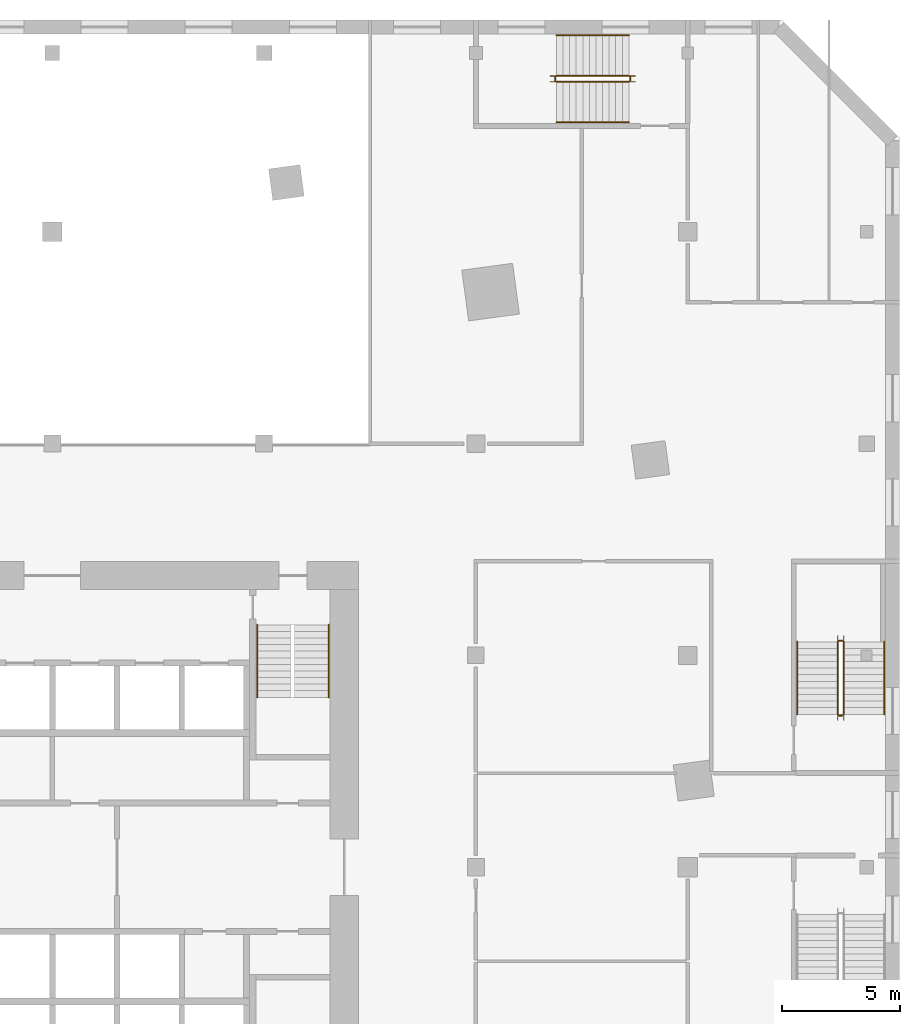
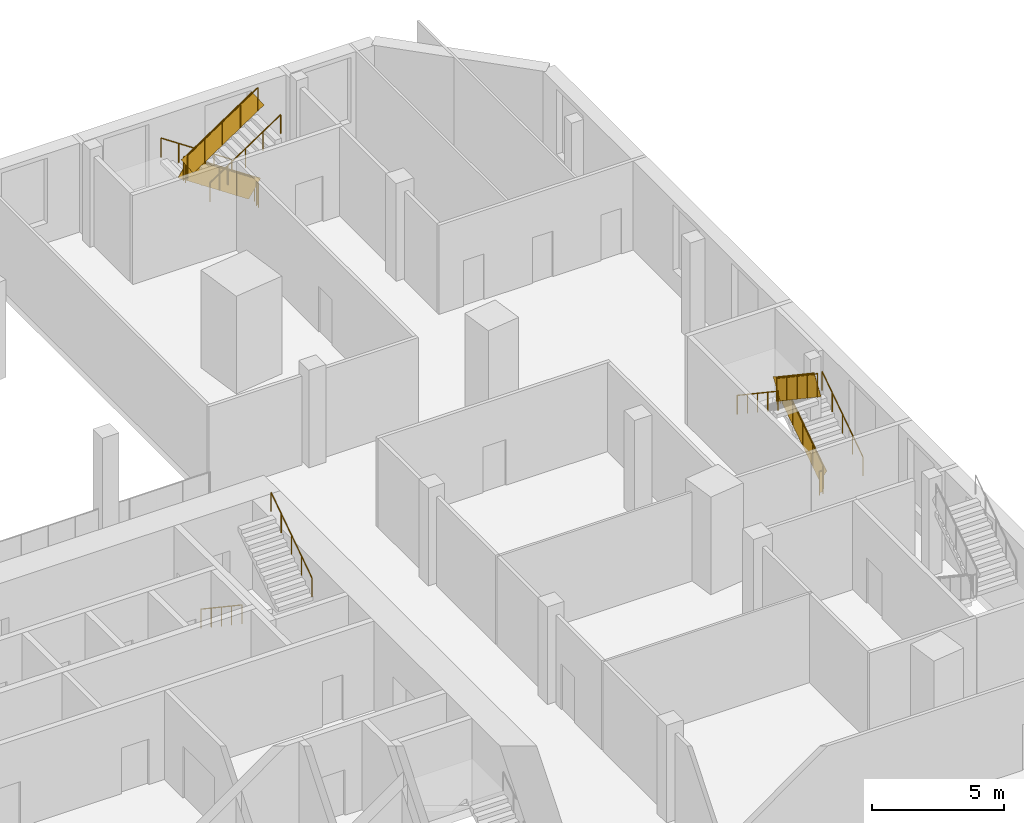
# One storey, part 27 of 27: 14 railings.
"""IFC4 building model written with IfcOpenShell, lengths in metres."""

from ifc_helpers import new_model, si_unit, direction, frame, origin, origin_2d, place, context, subcontext, project, spatial, rectangle, circle, extrude, material, type_object, element, save


model = new_model("IFC4")

# Units and contexts
model_context = context("Model", 3, precision=1e-05, world=origin(), true_north=direction((0.0, 1.0)))
body_context = subcontext(model_context, "Body", "Model", "MODEL_VIEW")
ifc_project = project(units=[si_unit("LENGTHUNIT", "METRE"), si_unit("AREAUNIT", "SQUARE_METRE"), si_unit("VOLUMEUNIT", "CUBIC_METRE"), si_unit("PLANEANGLEUNIT", "RADIAN"), si_unit("MASSUNIT", "GRAM", prefix="KILO")], contexts=[model_context])

# Site, building, storey
site_placement = place(None, origin())
site = spatial("IfcSite", under=ifc_project, at=site_placement, CompositionType="ELEMENT")
building_placement = place(site_placement, origin())
building = spatial("IfcBuilding", under=site, at=building_placement, Name="Dilmun Exchange Tower", CompositionType="ELEMENT")
storey_placement = place(building_placement, frame((0.0, 0.0, 4.5)))
storey = spatial("IfcBuildingStorey", under=building, at=storey_placement, Name="L01", CompositionType="ELEMENT", Elevation=4.5)

# Railings
ifc_material_1 = material(Name="Guard 1100")
railing_type_1 = type_object("IfcRailingType", Name="Guard 1100", PredefinedType="GUARDRAIL", material=ifc_material_1)
railing_1_placement = place(storey_placement, frame((24.5, 33.6240234375, 0.1875)))
element("IfcRailing", 1, at=railing_1_placement, inside=storey, type_object=railing_type_1, Name="L01 PS2 stair guard 1", PredefinedType="GUARDRAIL", context=body_context, shape_type="SweptSolid", body=[
    extrude(circle(Radius=0.02392578125, at=origin_2d()), frame((0.0, 0.0, 1.076171875), z_axis=(-0.830913701846, 0.0, 0.55640131208), x_axis=(0.0, -1.0, 0.0)), (0.0, 0.0, 1.0), 3.706787109375),
    extrude(rectangle(XDim=0.011962890625, YDim=0.951904296875, at=origin_2d()), frame((0.0, 0.0, 0.576171875), z_axis=(-0.830913701846, 0.0, 0.55640131208), x_axis=(0.0, -1.0, 0.0)), (0.0, 0.0, 1.0), 3.706787109375),
    extrude(circle(Radius=0.02099609375, at=origin_2d()), origin(), (0.0, 0.0, 1.0), 1.052001953125),
    extrude(circle(Radius=0.02099609375, at=origin_2d()), frame((-0.77001953125, 0.0, 0.515625)), (0.0, 0.0, 1.0), 1.052001953125),
    extrude(circle(Radius=0.02099609375, at=origin_2d()), frame((-1.5400390625, 0.0, 1.03125)), (0.0, 0.0, 1.0), 1.052001953125),
    extrude(circle(Radius=0.02099609375, at=origin_2d()), frame((-2.31005859375, 0.0, 1.546875)), (0.0, 0.0, 1.0), 1.052001953125),
    extrude(circle(Radius=0.02099609375, at=origin_2d()), frame((-3.080078125, 0.0, 2.0625)), (0.0, 0.0, 1.0), 1.052001953125),
])
railing_2_placement = place(storey_placement, frame((21.3701171875, 33.573974609375, 2.25)))
element("IfcRailing", 2, at=railing_2_placement, inside=storey, type_object=railing_type_1, Name="L01 PS2 stair guard 2", PredefinedType="GUARDRAIL", context=body_context, shape_type="SweptSolid", body=[
    extrude(circle(Radius=0.02392578125, at=origin_2d()), frame((0.0, 0.0, 1.076171875), z_axis=(0.0, -1.0, 0.0), x_axis=(1.0, 0.0, 0.0)), (0.0, 0.0, 1.0), 0.14990234375),
    extrude(rectangle(XDim=0.011962890625, YDim=0.951904296875, at=origin_2d()), frame((0.0, 0.0, 0.576171875), z_axis=(0.0, -1.0, 0.0), x_axis=(1.0, 0.0, 0.0)), (0.0, 0.0, 1.0), 0.14990234375),
    extrude(circle(Radius=0.02099609375, at=origin_2d()), origin(), (0.0, 0.0, 1.0), 1.052001953125),
    extrude(circle(Radius=0.02099609375, at=origin_2d()), frame((0.0, -0.14990234375, 0.0)), (0.0, 0.0, 1.0), 1.052001953125),
])
railing_3_placement = place(storey_placement, frame((21.419921875, 33.3740234375, 2.4375)))
element("IfcRailing", 3, at=railing_3_placement, inside=storey, type_object=railing_type_1, Name="L01 PS2 stair guard 3", PredefinedType="GUARDRAIL", context=body_context, shape_type="SweptSolid", body=[
    extrude(circle(Radius=0.02392578125, at=origin_2d()), frame((0.0, 0.0, 1.076171875), z_axis=(0.830913701846, 0.0, 0.55640131208), x_axis=(0.0, 1.0, 0.0)), (0.0, 0.0, 1.0), 3.706787109375),
    extrude(rectangle(XDim=0.011962890625, YDim=0.951904296875, at=origin_2d()), frame((0.0, 0.0, 0.576171875), z_axis=(0.830913701846, 0.0, 0.55640131208), x_axis=(0.0, 1.0, 0.0)), (0.0, 0.0, 1.0), 3.706787109375),
    extrude(circle(Radius=0.02099609375, at=origin_2d()), origin(), (0.0, 0.0, 1.0), 1.052001953125),
    extrude(circle(Radius=0.02099609375, at=origin_2d()), frame((0.77001953125, 0.0, 0.515625)), (0.0, 0.0, 1.0), 1.052001953125),
    extrude(circle(Radius=0.02099609375, at=origin_2d()), frame((1.5400390625, 0.0, 1.03125)), (0.0, 0.0, 1.0), 1.052001953125),
    extrude(circle(Radius=0.02099609375, at=origin_2d()), frame((2.31005859375, 0.0, 1.546875)), (0.0, 0.0, 1.0), 1.052001953125),
    extrude(circle(Radius=0.02099609375, at=origin_2d()), frame((3.080078125, 0.0, 2.0625)), (0.0, 0.0, 1.0), 1.052001953125),
])
railing_4_placement = place(storey_placement, frame((24.550048828125, 33.573974609375, 0.0)))
element("IfcRailing", 4, at=railing_4_placement, inside=storey, type_object=railing_type_1, Name="L01 PS2 stair guard 4", PredefinedType="GUARDRAIL", context=body_context, shape_type="SweptSolid", body=[
    extrude(circle(Radius=0.02392578125, at=origin_2d()), frame((0.0, 0.0, 1.076171875), z_axis=(0.0, -1.0, 0.0), x_axis=(1.0, 0.0, 0.0)), (0.0, 0.0, 1.0), 0.14990234375),
    extrude(rectangle(XDim=0.011962890625, YDim=0.951904296875, at=origin_2d()), frame((0.0, 0.0, 0.576171875), z_axis=(0.0, -1.0, 0.0), x_axis=(1.0, 0.0, 0.0)), (0.0, 0.0, 1.0), 0.14990234375),
    extrude(circle(Radius=0.02099609375, at=origin_2d()), origin(), (0.0, 0.0, 1.0), 1.052001953125),
    extrude(circle(Radius=0.02099609375, at=origin_2d()), frame((0.0, -0.14990234375, 0.0)), (0.0, 0.0, 1.0), 1.052001953125),
])
railing_5_placement = place(storey_placement, frame((33.6240234375, 6.5, 0.1875)))
element("IfcRailing", 5, at=railing_5_placement, inside=storey, type_object=railing_type_1, Name="L01 PS4 stair guard 1", PredefinedType="GUARDRAIL", context=body_context, shape_type="SweptSolid", body=[
    extrude(circle(Radius=0.02392578125, at=origin_2d()), frame((0.0, 0.0, 1.076171875), z_axis=(0.0, 0.830913701846, 0.55640131208), x_axis=(-1.0, 0.0, 0.0)), (0.0, 0.0, 1.0), 3.706787109375),
    extrude(rectangle(XDim=0.011962890625, YDim=0.951904296875, at=origin_2d()), frame((0.0, 0.0, 0.576171875), z_axis=(0.0, 0.830913701846, 0.55640131208), x_axis=(-1.0, 0.0, 0.0)), (0.0, 0.0, 1.0), 3.706787109375),
    extrude(circle(Radius=0.02099609375, at=origin_2d()), origin(), (0.0, 0.0, 1.0), 1.052001953125),
    extrude(circle(Radius=0.02099609375, at=origin_2d()), frame((0.0, 0.77001953125, 0.515625)), (0.0, 0.0, 1.0), 1.052001953125),
    extrude(circle(Radius=0.02099609375, at=origin_2d()), frame((0.0, 1.5400390625, 1.03125)), (0.0, 0.0, 1.0), 1.052001953125),
    extrude(circle(Radius=0.02099609375, at=origin_2d()), frame((0.0, 2.31005859375, 1.546875)), (0.0, 0.0, 1.0), 1.052001953125),
    extrude(circle(Radius=0.02099609375, at=origin_2d()), frame((0.0, 3.080078125, 2.0625)), (0.0, 0.0, 1.0), 1.052001953125),
])
railing_6_placement = place(storey_placement, frame((33.573974609375, 9.6298828125, 2.25)))
element("IfcRailing", 6, at=railing_6_placement, inside=storey, type_object=railing_type_1, Name="L01 PS4 stair guard 2", PredefinedType="GUARDRAIL", context=body_context, shape_type="SweptSolid", body=[
    extrude(circle(Radius=0.02392578125, at=origin_2d()), frame((0.0, 0.0, 1.076171875), z_axis=(-1.0, 0.0, 0.0), x_axis=(0.0, -1.0, 0.0)), (0.0, 0.0, 1.0), 0.14990234375),
    extrude(rectangle(XDim=0.011962890625, YDim=0.951904296875, at=origin_2d()), frame((0.0, 0.0, 0.576171875), z_axis=(-1.0, 0.0, 0.0), x_axis=(0.0, -1.0, 0.0)), (0.0, 0.0, 1.0), 0.14990234375),
    extrude(circle(Radius=0.02099609375, at=origin_2d()), origin(), (0.0, 0.0, 1.0), 1.052001953125),
    extrude(circle(Radius=0.02099609375, at=origin_2d()), frame((-0.14990234375, 0.0, 0.0)), (0.0, 0.0, 1.0), 1.052001953125),
])
railing_7_placement = place(storey_placement, frame((33.3740234375, 9.580078125, 2.4375)))
element("IfcRailing", 7, at=railing_7_placement, inside=storey, type_object=railing_type_1, Name="L01 PS4 stair guard 3", PredefinedType="GUARDRAIL", context=body_context, shape_type="SweptSolid", body=[
    extrude(circle(Radius=0.02392578125, at=origin_2d()), frame((0.0, 0.0, 1.076171875), z_axis=(0.0, -0.830913701846, 0.55640131208), x_axis=(1.0, 0.0, 0.0)), (0.0, 0.0, 1.0), 3.706787109375),
    extrude(rectangle(XDim=0.011962890625, YDim=0.951904296875, at=origin_2d()), frame((0.0, 0.0, 0.576171875), z_axis=(0.0, -0.830913701846, 0.55640131208), x_axis=(1.0, 0.0, 0.0)), (0.0, 0.0, 1.0), 3.706787109375),
    extrude(circle(Radius=0.02099609375, at=origin_2d()), origin(), (0.0, 0.0, 1.0), 1.052001953125),
    extrude(circle(Radius=0.02099609375, at=origin_2d()), frame((0.0, -0.77001953125, 0.515625)), (0.0, 0.0, 1.0), 1.052001953125),
    extrude(circle(Radius=0.02099609375, at=origin_2d()), frame((0.0, -1.5400390625, 1.03125)), (0.0, 0.0, 1.0), 1.052001953125),
    extrude(circle(Radius=0.02099609375, at=origin_2d()), frame((0.0, -2.31005859375, 1.546875)), (0.0, 0.0, 1.0), 1.052001953125),
    extrude(circle(Radius=0.02099609375, at=origin_2d()), frame((0.0, -3.080078125, 2.0625)), (0.0, 0.0, 1.0), 1.052001953125),
])
railing_8_placement = place(storey_placement, frame((33.573974609375, 6.449951171875, 0.0)))
element("IfcRailing", 8, at=railing_8_placement, inside=storey, type_object=railing_type_1, Name="L01 PS4 stair guard 4", PredefinedType="GUARDRAIL", context=body_context, shape_type="SweptSolid", body=[
    extrude(circle(Radius=0.02392578125, at=origin_2d()), frame((0.0, 0.0, 1.076171875), z_axis=(-1.0, 0.0, 0.0), x_axis=(0.0, -1.0, 0.0)), (0.0, 0.0, 1.0), 0.14990234375),
    extrude(rectangle(XDim=0.011962890625, YDim=0.951904296875, at=origin_2d()), frame((0.0, 0.0, 0.576171875), z_axis=(-1.0, 0.0, 0.0), x_axis=(0.0, -1.0, 0.0)), (0.0, 0.0, 1.0), 0.14990234375),
    extrude(circle(Radius=0.02099609375, at=origin_2d()), origin(), (0.0, 0.0, 1.0), 1.052001953125),
    extrude(circle(Radius=0.02099609375, at=origin_2d()), frame((-0.14990234375, 0.0, 0.0)), (0.0, 0.0, 1.0), 1.052001953125),
])
ifc_material_2 = material(Name="Handrail 900")
railing_type_2 = type_object("IfcRailingType", Name="Handrail 900", PredefinedType="HANDRAIL", material=ifc_material_2)
railing_9_placement = place(storey_placement, frame((24.5, 35.347900390625, 0.1875)))
element("IfcRailing", 9, at=railing_9_placement, inside=storey, type_object=railing_type_2, Name="L01 PS2 stair handrail 1", PredefinedType="HANDRAIL", context=body_context, shape_type="SweptSolid", body=[
    extrude(circle(Radius=0.02392578125, at=origin_2d()), frame((0.0, 0.0, 0.8759765625), z_axis=(-0.830913701846, 0.0, 0.55640131208), x_axis=(0.0, -1.0, 0.0)), (0.0, 0.0, 1.0), 3.706787109375),
    extrude(circle(Radius=0.02099609375, at=origin_2d()), origin(), (0.0, 0.0, 1.0), 0.851806640625),
    extrude(circle(Radius=0.02099609375, at=origin_2d()), frame((-0.77001953125, 0.0, 0.515625)), (0.0, 0.0, 1.0), 0.851806640625),
    extrude(circle(Radius=0.02099609375, at=origin_2d()), frame((-1.5400390625, 0.0, 1.03125)), (0.0, 0.0, 1.0), 0.851806640625),
    extrude(circle(Radius=0.02099609375, at=origin_2d()), frame((-2.31005859375, 0.0, 1.546875)), (0.0, 0.0, 1.0), 0.851806640625),
    extrude(circle(Radius=0.02099609375, at=origin_2d()), frame((-3.080078125, 0.0, 2.0625)), (0.0, 0.0, 1.0), 0.851806640625),
])
railing_10_placement = place(storey_placement, frame((21.419921875, 31.64990234375, 2.4375)))
element("IfcRailing", 10, at=railing_10_placement, inside=storey, type_object=railing_type_2, Name="L01 PS2 stair handrail 2", PredefinedType="HANDRAIL", context=body_context, shape_type="SweptSolid", body=[
    extrude(circle(Radius=0.02392578125, at=origin_2d()), frame((0.0, 0.0, 0.8759765625), z_axis=(0.830913701846, 0.0, 0.55640131208), x_axis=(0.0, 1.0, 0.0)), (0.0, 0.0, 1.0), 3.706787109375),
    extrude(circle(Radius=0.02099609375, at=origin_2d()), origin(), (0.0, 0.0, 1.0), 0.851806640625),
    extrude(circle(Radius=0.02099609375, at=origin_2d()), frame((0.77001953125, 0.0, 0.515625)), (0.0, 0.0, 1.0), 0.851806640625),
    extrude(circle(Radius=0.02099609375, at=origin_2d()), frame((1.5400390625, 0.0, 1.03125)), (0.0, 0.0, 1.0), 0.851806640625),
    extrude(circle(Radius=0.02099609375, at=origin_2d()), frame((2.31005859375, 0.0, 1.546875)), (0.0, 0.0, 1.0), 0.851806640625),
    extrude(circle(Radius=0.02099609375, at=origin_2d()), frame((3.080078125, 0.0, 2.0625)), (0.0, 0.0, 1.0), 0.851806640625),
])
railing_11_placement = place(storey_placement, frame((35.347900390625, 6.5, 0.1875)))
element("IfcRailing", 11, at=railing_11_placement, inside=storey, type_object=railing_type_2, Name="L01 PS4 stair handrail 1", PredefinedType="HANDRAIL", context=body_context, shape_type="SweptSolid", body=[
    extrude(circle(Radius=0.02392578125, at=origin_2d()), frame((0.0, 0.0, 0.8759765625), z_axis=(0.0, 0.830913701846, 0.55640131208), x_axis=(-1.0, 0.0, 0.0)), (0.0, 0.0, 1.0), 3.706787109375),
    extrude(circle(Radius=0.02099609375, at=origin_2d()), origin(), (0.0, 0.0, 1.0), 0.851806640625),
    extrude(circle(Radius=0.02099609375, at=origin_2d()), frame((0.0, 0.77001953125, 0.515625)), (0.0, 0.0, 1.0), 0.851806640625),
    extrude(circle(Radius=0.02099609375, at=origin_2d()), frame((0.0, 1.5400390625, 1.03125)), (0.0, 0.0, 1.0), 0.851806640625),
    extrude(circle(Radius=0.02099609375, at=origin_2d()), frame((0.0, 2.31005859375, 1.546875)), (0.0, 0.0, 1.0), 0.851806640625),
    extrude(circle(Radius=0.02099609375, at=origin_2d()), frame((0.0, 3.080078125, 2.0625)), (0.0, 0.0, 1.0), 0.851806640625),
])
railing_12_placement = place(storey_placement, frame((31.64990234375, 9.580078125, 2.4375)))
element("IfcRailing", 12, at=railing_12_placement, inside=storey, type_object=railing_type_2, Name="L01 PS4 stair handrail 2", PredefinedType="HANDRAIL", context=body_context, shape_type="SweptSolid", body=[
    extrude(circle(Radius=0.02392578125, at=origin_2d()), frame((0.0, 0.0, 0.8759765625), z_axis=(0.0, -0.830913701846, 0.55640131208), x_axis=(1.0, 0.0, 0.0)), (0.0, 0.0, 1.0), 3.706787109375),
    extrude(circle(Radius=0.02099609375, at=origin_2d()), origin(), (0.0, 0.0, 1.0), 0.851806640625),
    extrude(circle(Radius=0.02099609375, at=origin_2d()), frame((0.0, -0.77001953125, 0.515625)), (0.0, 0.0, 1.0), 0.851806640625),
    extrude(circle(Radius=0.02099609375, at=origin_2d()), frame((0.0, -1.5400390625, 1.03125)), (0.0, 0.0, 1.0), 0.851806640625),
    extrude(circle(Radius=0.02099609375, at=origin_2d()), frame((0.0, -2.31005859375, 1.546875)), (0.0, 0.0, 1.0), 0.851806640625),
    extrude(circle(Radius=0.02099609375, at=origin_2d()), frame((0.0, -3.080078125, 2.0625)), (0.0, 0.0, 1.0), 0.851806640625),
])
ifc_material_3 = material(Name="Stainless steel", Category="steel")
railing_type_3 = type_object("IfcRailingType", Name="Stair handrail 900", PredefinedType="HANDRAIL", material=ifc_material_3)
railing_13_placement = place(storey_placement, frame((8.699951171875, 10.300048828125, 0.1875)))
element("IfcRailing", 13, at=railing_13_placement, inside=storey, type_object=railing_type_3, Name="L01 ST1 stair handrail 1", PredefinedType="HANDRAIL", context=body_context, shape_type="SweptSolid", body=[
    extrude(circle(Radius=0.02392578125, at=origin_2d()), frame((0.0, 0.0, 0.8759765625), z_axis=(0.0, -0.830913701846, 0.55640131208), x_axis=(1.0, 0.0, 0.0)), (0.0, 0.0, 1.0), 3.706787109375),
    extrude(circle(Radius=0.02099609375, at=origin_2d()), origin(), (0.0, 0.0, 1.0), 0.851806640625),
    extrude(circle(Radius=0.02099609375, at=origin_2d()), frame((0.0, -0.77001953125, 0.515625)), (0.0, 0.0, 1.0), 0.851806640625),
    extrude(circle(Radius=0.02099609375, at=origin_2d()), frame((0.0, -1.5400390625, 1.03125)), (0.0, 0.0, 1.0), 0.851806640625),
    extrude(circle(Radius=0.02099609375, at=origin_2d()), frame((0.0, -2.31005859375, 1.546875)), (0.0, 0.0, 1.0), 0.851806640625),
    extrude(circle(Radius=0.02099609375, at=origin_2d()), frame((0.0, -3.080078125, 2.0625)), (0.0, 0.0, 1.0), 0.851806640625),
])
railing_14_placement = place(storey_placement, frame((11.75, 7.219970703125, 2.4375)))
element("IfcRailing", 14, at=railing_14_placement, inside=storey, type_object=railing_type_3, Name="L01 ST1 stair handrail 2", PredefinedType="HANDRAIL", context=body_context, shape_type="SweptSolid", body=[
    extrude(circle(Radius=0.02392578125, at=origin_2d()), frame((0.0, 0.0, 0.8759765625), z_axis=(0.0, 0.830913701846, 0.55640131208), x_axis=(-1.0, 0.0, 0.0)), (0.0, 0.0, 1.0), 3.706787109375),
    extrude(circle(Radius=0.02099609375, at=origin_2d()), origin(), (0.0, 0.0, 1.0), 0.851806640625),
    extrude(circle(Radius=0.02099609375, at=origin_2d()), frame((0.0, 0.77001953125, 0.515625)), (0.0, 0.0, 1.0), 0.851806640625),
    extrude(circle(Radius=0.02099609375, at=origin_2d()), frame((0.0, 1.5400390625, 1.03125)), (0.0, 0.0, 1.0), 0.851806640625),
    extrude(circle(Radius=0.02099609375, at=origin_2d()), frame((0.0, 2.31005859375, 1.546875)), (0.0, 0.0, 1.0), 0.851806640625),
    extrude(circle(Radius=0.02099609375, at=origin_2d()), frame((0.0, 3.080078125, 2.0625)), (0.0, 0.0, 1.0), 0.851806640625),
])

save(model, "model.ifc")
